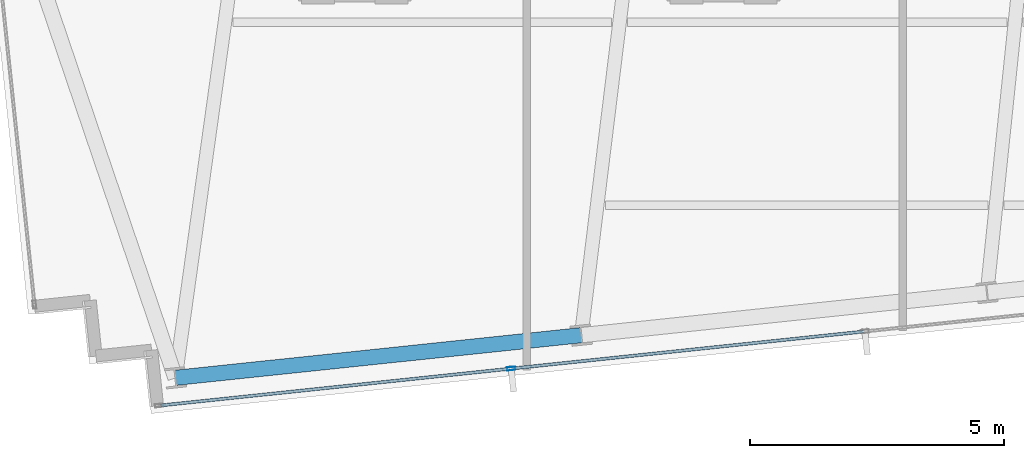
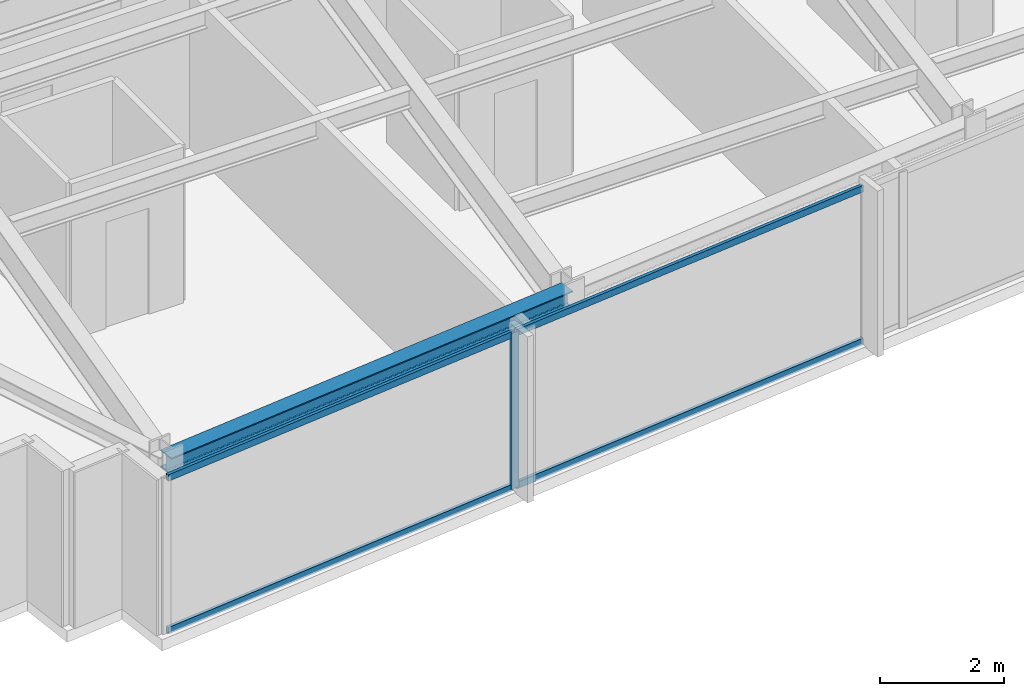
# One storey, part 3 of 33: 5 members, 1 beam, 1 element without a shape of its own.
"""IFC4 building model written with IfcOpenShell, lengths in metres."""

import ifcopenshell
import ifcopenshell.guid

model = None  # the IFC model being written
_history = None  # IfcOwnerHistory: only IFC2X3 demands one
_inside = {}  # id of a spatial element -> (the spatial element, [elements in it])
_under = {}  # id of a project, library or spatial element -> (it, [spatial elements below it])
_declared = {}  # id of a project -> (the project, [libraries it declares])
_typed = {}  # id of a type object -> (the type object, [elements of that type])
_made_of = {}  # id of a material, layer set ... -> (it, [elements and type objects made of it])


def new_model(schema):
    """Start an empty IFC model of exactly this schema.

    Asked for "IFC4X3", IfcOpenShell would pick the latest addendum, in which some entities
    have other attributes; the version numbers below select the first issue.
    IFC2X3 requires an IfcOwnerHistory on every rooted entity: one is made here for all.
    """
    global model, _history
    if schema == "IFC4X3":
        model = ifcopenshell.file(schema_version=(4, 3, 0, 0))
    else:
        model = ifcopenshell.file(schema=schema)
    _inside.clear()
    _under.clear()
    _declared.clear()
    _typed.clear()
    _made_of.clear()
    _history = None
    if model.schema == "IFC2X3":
        org = make("IfcOrganization", Name="unknown")
        user = make(
            "IfcPersonAndOrganization",
            ThePerson=make("IfcPerson", FamilyName="unknown"),
            TheOrganization=org,
        )
        app = make(
            "IfcApplication",
            ApplicationDeveloper=org,
            Version="unknown",
            ApplicationFullName="unknown",
            ApplicationIdentifier="unknown",
        )
        _history = make(
            "IfcOwnerHistory",
            OwningUser=user,
            OwningApplication=app,
            ChangeAction="ADDED",
            CreationDate=0,
        )
    return model


def make(cls, **values):
    """One entity of the class cls with the attributes given. An attribute that is None is left unset."""
    return model.create_entity(
        cls, **{name: value for name, value in values.items() if value is not None}
    )


def rooted(cls, **values):
    """An entity with a GlobalId (a new one), such as an element, a storey or a relation."""
    return make(cls, GlobalId=ifcopenshell.guid.new(), OwnerHistory=_history, **values)


def si_unit(unit_type, name, prefix=None):
    """IfcSIUnit, for example si_unit("LENGTHUNIT", "METRE", prefix="MILLI")."""
    return make("IfcSIUnit", UnitType=unit_type, Prefix=prefix, Name=name)


def assignment(units):
    """IfcUnitAssignment: the units of a project."""
    return None if units is None else make("IfcUnitAssignment", Units=units)


def point(xyz):
    """IfcCartesianPoint."""
    return None if xyz is None else make("IfcCartesianPoint", Coordinates=xyz)


def direction(xyz):
    """IfcDirection."""
    return None if xyz is None else make("IfcDirection", DirectionRatios=xyz)


def frame(location, z_axis=None, x_axis=None):
    """IfcAxis2Placement3D, a coordinate frame: its origin and axes. An axis left out is left unset."""
    return make(
        "IfcAxis2Placement3D",
        Location=point(location),
        Axis=direction(z_axis),
        RefDirection=direction(x_axis),
    )


def frame_2d(location, x_axis=None):
    """IfcAxis2Placement2D, a coordinate frame in the plane: its origin and x axis."""
    return make(
        "IfcAxis2Placement2D", Location=point(location), RefDirection=direction(x_axis)
    )


def origin():
    """The frame at (0, 0, 0) with its axes left unset."""
    return frame((0.0, 0.0, 0.0))


def origin_2d():
    """The frame at (0, 0) in the plane with its x axis left unset."""
    return frame_2d((0.0, 0.0))


def place(relative_to, where):
    """IfcLocalPlacement: puts the frame where relative to a parent placement (None: the world)."""
    return make(
        "IfcLocalPlacement", PlacementRelTo=relative_to, RelativePlacement=where
    )


def context(
    kind, dimensions, precision=None, world=None, true_north=None, identifier=None
):
    """IfcGeometricRepresentationContext, for example the 3D "Model" context."""
    return make(
        "IfcGeometricRepresentationContext",
        ContextIdentifier=identifier,
        ContextType=kind,
        CoordinateSpaceDimension=dimensions,
        Precision=precision,
        WorldCoordinateSystem=world,
        TrueNorth=true_north,
    )


def subcontext(parent, identifier, kind, view, scale=None):
    """IfcGeometricRepresentationSubContext, for example "Body" below "Model"."""
    return make(
        "IfcGeometricRepresentationSubContext",
        ContextIdentifier=identifier,
        ContextType=kind,
        ParentContext=parent,
        TargetScale=scale,
        TargetView=view,
    )


def project(units=None, contexts=None):
    """IfcProject with its units and contexts."""
    return rooted(
        "IfcProject",
        Name="project",
        RepresentationContexts=contexts,
        UnitsInContext=assignment(units),
    )


def spatial(cls, under=None, at=None, **own):
    """A site, building, storey or space (cls), placed at a placement, below another one or the project."""
    s = rooted(cls, ObjectPlacement=at, **own)
    if under is not None:
        _under.setdefault(under.id(), (under, []))[1].append(s)
    return s


def profile(cls, at=None, kind="AREA", **sizes):
    """A parametric profile (cls). Its sizes go by their IFC names, for example OverallWidth=200.0."""
    return make(cls, ProfileType=kind, Position=at, **sizes)


def hollow_rectangle(**sizes):
    """IfcRectangleHollowProfileDef."""
    return profile("IfcRectangleHollowProfileDef", **sizes)


def i_section(**sizes):
    """IfcIShapeProfileDef."""
    return profile("IfcIShapeProfileDef", **sizes)


def extrude(swept, where, along, depth):
    """IfcExtrudedAreaSolid: the profile swept, set in the frame where, extruded along a direction by depth."""
    return make(
        "IfcExtrudedAreaSolid",
        SweptArea=swept,
        Position=where,
        ExtrudedDirection=direction(along),
        Depth=depth,
    )


def shape(context_of_items, identifier, shape_type, items):
    """IfcShapeRepresentation: the items that make up one representation, for example the "Body"."""
    return make(
        "IfcShapeRepresentation",
        ContextOfItems=context_of_items,
        RepresentationIdentifier=identifier,
        RepresentationType=shape_type,
        Items=items,
    )


def material(Name=None, Category=None):
    """IfcMaterial."""
    return make("IfcMaterial", Name=Name, Category=Category)


def material_profile(
    of_material, cross_section, Name=None, Category=None, Priority=None
):
    """IfcMaterialProfile: a cross section and its material."""
    return make(
        "IfcMaterialProfile",
        Name=Name,
        Material=of_material,
        Profile=cross_section,
        Priority=Priority,
        Category=Category,
    )


def profile_set(profiles, Name=None, composite=None):
    """IfcMaterialProfileSet."""
    return make(
        "IfcMaterialProfileSet",
        Name=Name,
        MaterialProfiles=profiles,
        CompositeProfile=composite,
    )


def made_of(thing, what):
    """Note that an element or type object is made of a material, layer set ...; save() writes the relation."""
    if what is not None:
        _made_of.setdefault(what.id(), (what, []))[1].append(thing)
    return thing


def type_object(cls, material=None, **own):
    """A type object (cls), such as IfcWallType, which elements share."""
    return made_of(rooted(cls, **own), material)


def element(
    cls,
    number,
    at=None,
    inside=None,
    cuts=None,
    type_object=None,
    material=None,
    context=None,
    identifier="Body",
    shape_type=None,
    held_by="IfcProductDefinitionShape",
    body=None,
    shapes=None,
    **own,
):
    """One element of the class cls, such as IfcWall. Its Tag is "e" and its number.

    at: its placement. inside: the storey or other place that contains it. cuts: it is an
    opening in that element (IfcRelVoidsElement). A single representation is given by context,
    identifier, shape_type and body (its items); several are given by shapes. held_by: the class
    of the entity that holds the representations. save() writes the other relations.
    """
    e = rooted(cls, Tag="e%d" % number, ObjectPlacement=at, **own)
    if body is not None:
        shapes = [shape(context, identifier, shape_type, body)]
    if shapes is not None:
        e.Representation = make(held_by, Representations=shapes)
    if inside is not None:
        _inside.setdefault(inside.id(), (inside, []))[1].append(e)
    if cuts is not None:
        rooted(
            "IfcRelVoidsElement", RelatingBuildingElement=cuts, RelatedOpeningElement=e
        )
    if type_object is not None:
        _typed.setdefault(type_object.id(), (type_object, []))[1].append(e)
    return made_of(e, material)


def aggregate(whole, parts):
    """IfcRelAggregates: a whole, such as a stair, and the parts it consists of."""
    return rooted("IfcRelAggregates", RelatingObject=whole, RelatedObjects=parts)


def save(model, path):
    """Write the relations noted so far, then the file.

    IfcRelAggregates (storeys below a building ...), IfcRelContainedInSpatialStructure (elements
    in a storey), IfcRelDefinesByType, IfcRelAssociatesMaterial and IfcRelDeclares: one each for
    every whole, place, type object, material and project.
    """
    for whole, parts in _under.values():
        aggregate(whole, parts)
    for where, things in _inside.values():
        rooted(
            "IfcRelContainedInSpatialStructure",
            RelatedElements=things,
            RelatingStructure=where,
        )
    for kind, things in _typed.values():
        rooted("IfcRelDefinesByType", RelatedObjects=things, RelatingType=kind)
    for what, things in _made_of.values():
        rooted("IfcRelAssociatesMaterial", RelatedObjects=things, RelatingMaterial=what)
    for by, libraries in _declared.values():
        rooted("IfcRelDeclares", RelatingContext=by, RelatedDefinitions=libraries)
    model.write(path)


model = new_model("IFC4")

# Units and contexts
model_context = context("Model", 3, precision=1e-05, world=origin(), true_north=direction((0.0, 1.0)))
body_context = subcontext(model_context, "Body", "Model", "MODEL_VIEW")
ifc_project = project(units=[si_unit("LENGTHUNIT", "METRE"), si_unit("AREAUNIT", "SQUARE_METRE"), si_unit("VOLUMEUNIT", "CUBIC_METRE"), si_unit("PLANEANGLEUNIT", "RADIAN"), si_unit("MASSUNIT", "GRAM", prefix="KILO")], contexts=[model_context])

# Site, building, storey
site_placement = place(None, origin())
site = spatial("IfcSite", under=ifc_project, at=site_placement, CompositionType="ELEMENT")
building_placement = place(site_placement, origin())
building = spatial("IfcBuilding", under=site, at=building_placement, Name="Yelkora Congress Tower", CompositionType="ELEMENT")
storey_placement = place(building_placement, frame((0.0, 0.0, 224.300048828125)))
storey = spatial("IfcBuildingStorey", under=building, at=storey_placement, Name="L62", CompositionType="ELEMENT", Elevation=224.300048828125)

# Beam
ifc_material_1 = material(Name="Steel S355J2", Category="steel")
ifc_material_profile_1 = material_profile(ifc_material_1, i_section(OverallWidth=0.300048828125, OverallDepth=0.340087890625, WebThickness=0.011962890625, FlangeThickness=0.021484375, FilletRadius=0.027099609375, at=origin_2d()), Name="HEB 340")
ifc_profile_set_1 = profile_set([ifc_material_profile_1], Name="Steel S355J2")
beam_type = type_object("IfcBeamType", Name="BM-SPAN-HEB340", PredefinedType="SPANDREL", material=ifc_profile_set_1)
beam_placement = place(storey_placement, frame((21.299072265625, 12.678466796875, 2.909912109375), z_axis=(0.994520097542, 0.104545567032, 0.0), x_axis=(-0.104545567032, 0.994520097542, 0.0)))
element("IfcBeam", 1, at=beam_placement, inside=storey, type_object=beam_type, Name="L62 Perimeter Beam 3", PredefinedType="SPANDREL", context=body_context, shape_type="SweptSolid", body=[
    extrude(i_section(OverallWidth=0.300048828125, OverallDepth=0.340087890625, WebThickness=0.011962890625, FlangeThickness=0.021484375, FilletRadius=0.027099609375, at=origin_2d()), origin(), (0.0, 0.0, 1.0), 8.033203125),
])

# Curtain wall, members
ifc_material_2 = material(Name="Anodised aluminium and insulated glass", Category="aluminium")
curtain_wall_type = type_object("IfcCurtainWallType", Name="CW-SYS-B4", PredefinedType="NOTDEFINED", material=ifc_material_2)
curtain_wall_placement = place(storey_placement, origin())
curtain_wall = element("IfcCurtainWall", 2, at=curtain_wall_placement, inside=storey, type_object=curtain_wall_type, Name="L62 Unitised Curtain Wall 20", PredefinedType="NOTDEFINED")
ifc_material_3 = material(Name="Anodised aluminium 6063-T6", Category="aluminium")
ifc_material_profile_2 = material_profile(ifc_material_3, hollow_rectangle(XDim=0.06494140625, YDim=0.159912109375, WallThickness=0.00390625, at=origin_2d()), Name="ALU 65x160x4")
ifc_profile_set_2 = profile_set([ifc_material_profile_2], Name="Anodised aluminium 6063-T6")
member_type_1 = type_object("IfcMemberType", Name="MEM-ML-B4", PredefinedType="MULLION", material=ifc_profile_set_2)
member_1_placement = place(storey_placement, frame((27.9091796875, 12.860595703125, 0.0), z_axis=(0.0, 0.0, 1.0), x_axis=(0.104526664994, -0.994522084373, 0.0)))
member_1 = element("IfcMember", 3, at=member_1_placement, type_object=member_type_1, Name="CW-B4 mullion 7", PredefinedType="MULLION", context=body_context, shape_type="SweptSolid", body=[
    extrude(hollow_rectangle(XDim=0.06494140625, YDim=0.159912109375, WallThickness=0.00390625, at=origin_2d()), origin(), (0.0, 0.0, 1.0), 3.079833984375),
])
ifc_material_profile_3 = material_profile(ifc_material_3, hollow_rectangle(XDim=0.06005859375, YDim=0.1298828125, WallThickness=0.00390625, at=origin_2d()), Name="ALU 60x130x4")
ifc_profile_set_3 = profile_set([ifc_material_profile_3], Name="Anodised aluminium 6063-T6")
member_type_2 = type_object("IfcMemberType", Name="MEM-TR-B4", PredefinedType="USERDEFINED", material=ifc_profile_set_3)
member_2_placement = place(storey_placement, frame((34.84130859375, 13.589111328125, 0.030029296875), z_axis=(-0.994519904787, -0.104547400648, 0.0), x_axis=(0.104547400648, -0.994519904787, 0.0)))
member_2 = element("IfcMember", 4, at=member_2_placement, type_object=member_type_2, Name="CW-B4 transom 6.1", ObjectType="TRANSOM", PredefinedType="USERDEFINED", context=body_context, shape_type="SweptSolid", body=[
    extrude(hollow_rectangle(XDim=0.06005859375, YDim=0.1298828125, WallThickness=0.00390625, at=origin_2d()), origin(), (0.0, 0.0, 1.0), 6.93798828125),
])
member_3_placement = place(storey_placement, frame((34.84130859375, 13.589111328125, 3.050048828125), z_axis=(-0.994519904787, -0.104547400648, 0.0), x_axis=(0.104547400648, -0.994519904787, 0.0)))
member_3 = element("IfcMember", 5, at=member_3_placement, type_object=member_type_2, Name="CW-B4 transom 6.2", ObjectType="TRANSOM", PredefinedType="USERDEFINED", context=body_context, shape_type="SweptSolid", body=[
    extrude(hollow_rectangle(XDim=0.06005859375, YDim=0.1298828125, WallThickness=0.00390625, at=origin_2d()), origin(), (0.0, 0.0, 1.0), 6.93798828125),
])
member_4_placement = place(storey_placement, frame((27.876708984375, 12.857177734375, 0.030029296875), z_axis=(-0.994519973075, -0.104546751053, 0.0), x_axis=(0.104546751053, -0.994519973075, 0.0)))
member_4 = element("IfcMember", 6, at=member_4_placement, type_object=member_type_2, Name="CW-B4 transom 7.1", ObjectType="TRANSOM", PredefinedType="USERDEFINED", context=body_context, shape_type="SweptSolid", body=[
    extrude(hollow_rectangle(XDim=0.06005859375, YDim=0.1298828125, WallThickness=0.00390625, at=origin_2d()), origin(), (0.0, 0.0, 1.0), 6.9052734375),
])
member_5_placement = place(storey_placement, frame((27.876708984375, 12.857177734375, 3.050048828125), z_axis=(-0.994519973075, -0.104546751053, 0.0), x_axis=(0.104546751053, -0.994519973075, 0.0)))
member_5 = element("IfcMember", 7, at=member_5_placement, type_object=member_type_2, Name="CW-B4 transom 7.2", ObjectType="TRANSOM", PredefinedType="USERDEFINED", context=body_context, shape_type="SweptSolid", body=[
    extrude(hollow_rectangle(XDim=0.06005859375, YDim=0.1298828125, WallThickness=0.00390625, at=origin_2d()), origin(), (0.0, 0.0, 1.0), 6.9052734375),
])
aggregate(curtain_wall, [member_1, member_2, member_3, member_4, member_5])

save(model, "model.ifc")
